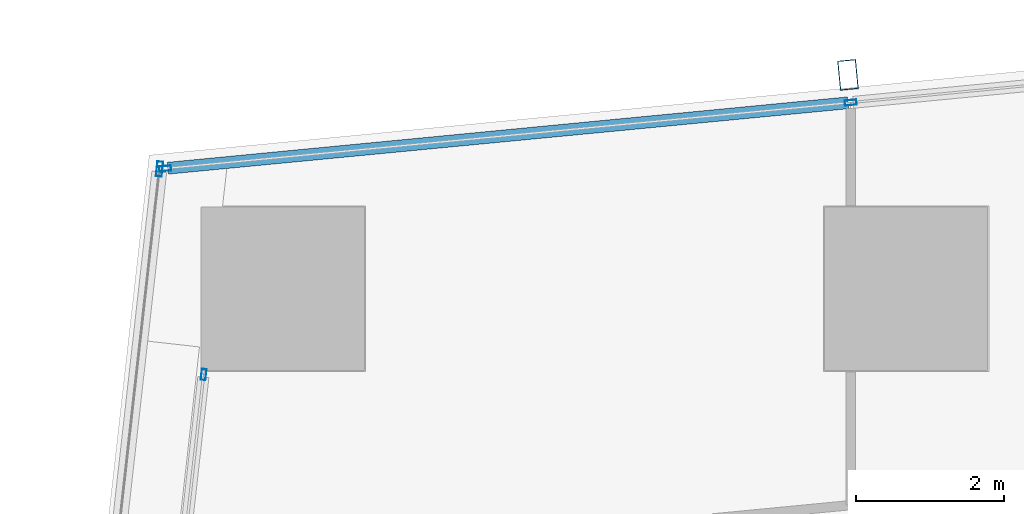
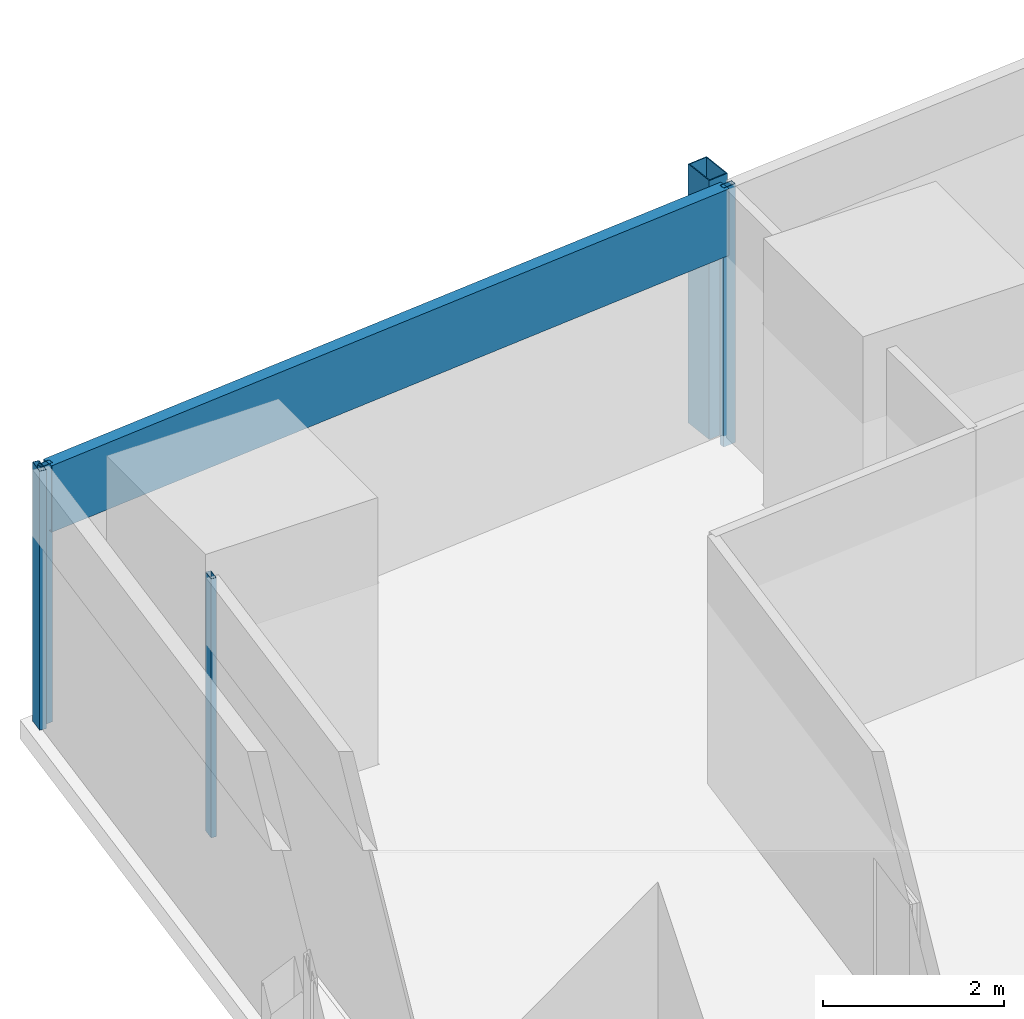
# One storey, part 16 of 44: 6 members, 3 elements without a shape of their own.
"""IFC4 building model written with IfcOpenShell, lengths in metres."""

from ifc_helpers import new_model, si_unit, direction, frame, origin, origin_2d, place, context, subcontext, project, spatial, hollow_rectangle, extrude, material, material_profile, profile_set, type_object, element, aggregate, save


model = new_model("IFC4")

# Units and contexts
model_context = context("Model", 3, precision=1e-05, world=origin(), true_north=direction((0.0, 1.0)))
body_context = subcontext(model_context, "Body", "Model", "MODEL_VIEW")
ifc_project = project(units=[si_unit("LENGTHUNIT", "METRE"), si_unit("AREAUNIT", "SQUARE_METRE"), si_unit("VOLUMEUNIT", "CUBIC_METRE"), si_unit("PLANEANGLEUNIT", "RADIAN"), si_unit("MASSUNIT", "GRAM", prefix="KILO")], contexts=[model_context])

# Site, building, storey
site_placement = place(None, origin())
site = spatial("IfcSite", under=ifc_project, at=site_placement, CompositionType="ELEMENT")
building_placement = place(site_placement, origin())
building = spatial("IfcBuilding", under=site, at=building_placement, Name="Rekha Terrace Tower", CompositionType="ELEMENT")
storey_placement = place(building_placement, frame((0.0, 0.0, 66.64990234375)))
storey = spatial("IfcBuildingStorey", under=building, at=storey_placement, Name="L16", CompositionType="ELEMENT", Elevation=66.64990234375)

# Curtain wall, member
ifc_material_1 = material(Name="Aluminium framing", Category="aluminium")
curtain_wall_type_1 = type_object("IfcCurtainWallType", Name="CW3 north unitised glazing", PredefinedType="USERDEFINED", material=ifc_material_1)
curtain_wall_1_placement = place(storey_placement, origin())
curtain_wall_1 = element("IfcCurtainWall", 1, at=curtain_wall_1_placement, inside=storey, type_object=curtain_wall_type_1, Name="CW3 unitised curtain wall", ObjectType="UNITISED CURTAIN WALL", PredefinedType="USERDEFINED")
ifc_material_2 = material(Name="Steel S355 with fluorocarbon finish", Category="steel")
ifc_material_profile_1 = material_profile(ifc_material_2, hollow_rectangle(XDim=0.25, YDim=0.39990234375, WallThickness=0.012451171875, at=origin_2d()), Name="RHS400x250x12.5")
ifc_profile_set_1 = profile_set([ifc_material_profile_1], Name="Steel S355 with fluorocarbon finish")
member_type_1 = type_object("IfcMemberType", Name="BL1 facade blade RHS 400 x 250", PredefinedType="USERDEFINED", material=ifc_profile_set_1)
member_1_placement = place(storey_placement, frame((16.01708984375, 61.681396484375, 0.0), z_axis=(0.0, 0.0, 1.0), x_axis=(-0.995409070123, -0.095711980009, 0.0)))
member_1 = element("IfcMember", 2, at=member_1_placement, type_object=member_type_1, Name="Facade blade", ObjectType="FACADE BLADE", PredefinedType="USERDEFINED", context=body_context, shape_type="SweptSolid", body=[
    extrude(hollow_rectangle(XDim=0.25, YDim=0.39990234375, WallThickness=0.012451171875, at=origin_2d()), origin(), (0.0, 0.0, 1.0), 3.5),
])

curtain_wall_type_2 = type_object("IfcCurtainWallType", Name="CW1 double skin inner glazing", PredefinedType="USERDEFINED", material=ifc_material_1)
curtain_wall_2_placement = place(storey_placement, origin())
curtain_wall_2 = element("IfcCurtainWall", 3, at=curtain_wall_2_placement, inside=storey, type_object=curtain_wall_type_2, Name="CW1 double skin inner glazing", ObjectType="DOUBLE SKIN INNER GLAZING", PredefinedType="USERDEFINED")
ifc_material_3 = material(Name="Aluminium mullion section", Category="aluminium")
ifc_material_profile_2 = material_profile(ifc_material_3, hollow_rectangle(XDim=0.06494140625, YDim=0.14990234375, WallThickness=0.00390625, at=origin_2d()), Name="AL RHS 65x150")
ifc_profile_set_2 = profile_set([ifc_material_profile_2], Name="Aluminium mullion section")
member_type_2 = type_object("IfcMemberType", Name="CW1 mullion RHS 65 x 150", PredefinedType="MULLION", material=ifc_profile_set_2)
member_2_placement = place(storey_placement, frame((7.334228515625, 57.643310546875, 0.0), z_axis=(0.0, 0.0, 1.0), x_axis=(0.993738615524, -0.111729870748, 0.0)))
member_2 = element("IfcMember", 4, at=member_2_placement, type_object=member_type_2, Name="CW1 mullion 1", PredefinedType="MULLION", context=body_context, shape_type="SweptSolid", body=[
    extrude(hollow_rectangle(XDim=0.06494140625, YDim=0.14990234375, WallThickness=0.00390625, at=origin_2d()), origin(), (0.0, 0.0, 1.0), 3.5),
])
aggregate(curtain_wall_2, [member_2])

curtain_wall_type_3 = type_object("IfcCurtainWallType", Name="CW2 double skin outer glazing", PredefinedType="USERDEFINED", material=ifc_material_1)
curtain_wall_3_placement = place(storey_placement, origin())
curtain_wall_3 = element("IfcCurtainWall", 5, at=curtain_wall_3_placement, inside=storey, type_object=curtain_wall_type_3, Name="CW2 double skin outer glazing", ObjectType="DOUBLE SKIN OUTER GLAZING", PredefinedType="USERDEFINED")
ifc_material_profile_3 = material_profile(ifc_material_3, hollow_rectangle(XDim=0.080078125, YDim=0.199951171875, WallThickness=0.00390625, at=origin_2d()), Name="AL RHS 80x200")
ifc_profile_set_3 = profile_set([ifc_material_profile_3], Name="Aluminium mullion section")
member_type_3 = type_object("IfcMemberType", Name="CW2 mullion RHS 80 x 200", PredefinedType="MULLION", material=ifc_profile_set_3)
member_3_placement = place(storey_placement, frame((6.739990234375, 60.413330078125, 0.0), z_axis=(0.0, 0.0, 1.0), x_axis=(0.99373861552, -0.111729870782, 0.0)))
member_3 = element("IfcMember", 6, at=member_3_placement, type_object=member_type_3, Name="CW2 mullion 1", PredefinedType="MULLION", context=body_context, shape_type="SweptSolid", body=[
    extrude(hollow_rectangle(XDim=0.080078125, YDim=0.199951171875, WallThickness=0.00390625, at=origin_2d()), origin(), (0.0, 0.0, 1.0), 3.5),
])
aggregate(curtain_wall_3, [member_3])

# Member
ifc_material_profile_4 = material_profile(ifc_material_3, hollow_rectangle(XDim=0.070068359375, YDim=0.159912109375, WallThickness=0.00390625, at=origin_2d()), Name="AL RHS 70x160")
ifc_profile_set_4 = profile_set([ifc_material_profile_4], Name="Aluminium mullion section")
member_type_4 = type_object("IfcMemberType", Name="CW3 mullion RHS 70 x 160", PredefinedType="MULLION", material=ifc_profile_set_4)
member_4_placement = place(storey_placement, frame((16.052978515625, 61.30810546875, 0.0), z_axis=(0.0, 0.0, 1.0), x_axis=(0.095712406625, -0.995409029102, 0.0)))
member_4 = element("IfcMember", 7, at=member_4_placement, type_object=member_type_4, Name="CW3 mullion 2", PredefinedType="MULLION", context=body_context, shape_type="SweptSolid", body=[
    extrude(hollow_rectangle(XDim=0.070068359375, YDim=0.159912109375, WallThickness=0.00390625, at=origin_2d()), origin(), (0.0, 0.0, 1.0), 3.5),
])

member_5_placement = place(storey_placement, frame((6.8154296875, 60.419677734375, 0.0), z_axis=(0.0, 0.0, 1.0), x_axis=(0.095712406625, -0.995409029102, 0.0)))
member_5 = element("IfcMember", 8, at=member_5_placement, type_object=member_type_4, Name="CW3 mullion 3", PredefinedType="MULLION", context=body_context, shape_type="SweptSolid", body=[
    extrude(hollow_rectangle(XDim=0.070068359375, YDim=0.159912109375, WallThickness=0.00390625, at=origin_2d()), origin(), (0.0, 0.0, 1.0), 3.5),
])

ifc_material_4 = material(Name="Insulated aluminium spandrel box", Category="aluminium")
ifc_material_profile_5 = material_profile(ifc_material_4, hollow_rectangle(XDim=0.159912109375, YDim=0.89990234375, WallThickness=0.0029296875, at=origin_2d()), Name="AL SPANDREL BOX 160x900")
ifc_profile_set_5 = profile_set([ifc_material_profile_5], Name="Insulated aluminium spandrel box")
member_type_5 = type_object("IfcMemberType", Name="CW3 spandrel transom 160 x 900", PredefinedType="USERDEFINED", material=ifc_profile_set_5)
member_6_placement = place(storey_placement, frame((16.018310546875, 61.3046875, 3.050048828125), z_axis=(-0.995408446287, -0.095718467713, 0.0), x_axis=(0.095718467713, -0.995408446287, 0.0)))
member_6 = element("IfcMember", 9, at=member_6_placement, type_object=member_type_5, Name="CW3 spandrel transom 2", ObjectType="TRANSOM", PredefinedType="USERDEFINED", context=body_context, shape_type="SweptSolid", body=[
    extrude(hollow_rectangle(XDim=0.159912109375, YDim=0.89990234375, WallThickness=0.0029296875, at=origin_2d()), origin(), (0.0, 0.0, 1.0), 9.210205078125),
])

aggregate(curtain_wall_1, [member_4, member_5, member_6, member_1])

save(model, "model.ifc")
